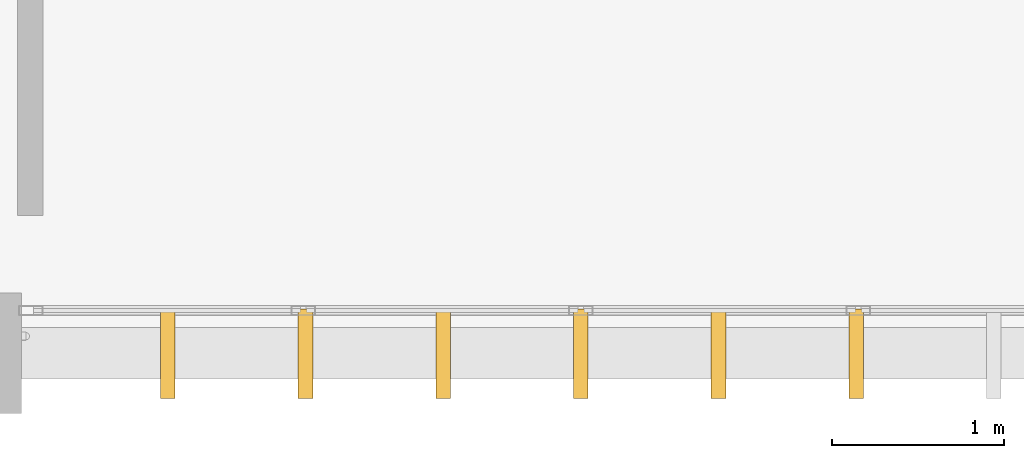
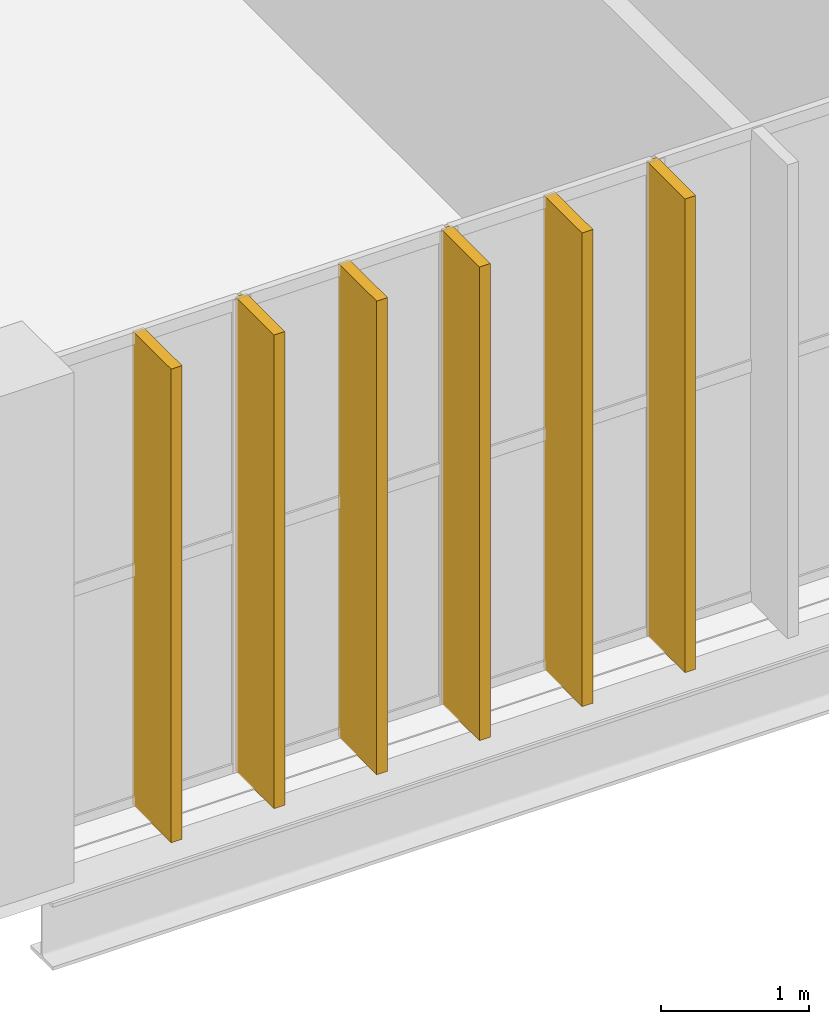
# One storey, part 118 of 130: 6 coverings.
"""IFC4 building model written with IfcOpenShell, lengths in metres."""

from ifc_helpers import new_model, si_unit, direction, frame, origin, origin_2d, place, context, subcontext, project, spatial, rectangle, extrude, material, layer, layer_set, type_object, element, save


model = new_model("IFC4")

# Units and contexts
model_context = context("Model", 3, precision=1e-05, world=origin(), true_north=direction((0.0, 1.0)))
body_context = subcontext(model_context, "Body", "Model", "MODEL_VIEW")
ifc_project = project(units=[si_unit("LENGTHUNIT", "METRE"), si_unit("AREAUNIT", "SQUARE_METRE"), si_unit("VOLUMEUNIT", "CUBIC_METRE"), si_unit("PLANEANGLEUNIT", "RADIAN"), si_unit("MASSUNIT", "GRAM", prefix="KILO")], contexts=[model_context])

# Site, building, storey
site_placement = place(None, origin())
site = spatial("IfcSite", under=ifc_project, at=site_placement, CompositionType="ELEMENT")
building_placement = place(site_placement, origin())
building = spatial("IfcBuilding", under=site, at=building_placement, Name="Qandorah Velis Arena", CompositionType="ELEMENT")
storey_placement = place(building_placement, frame((0.0, 0.0, 9.60009765625)))
storey = spatial("IfcBuildingStorey", under=building, at=storey_placement, Name="L02", CompositionType="ELEMENT", Elevation=9.60009765625)

# Coverings
ifc_material = material(Name="Champagne-bronze anodized aluminium 6063-T6", Category="aluminium")
ifc_layer = layer(ifc_material, 0.0849609375)
ifc_layer_set = layer_set([ifc_layer], Name="Champagne-bronze anodized aluminium 6063-T6")
covering_type = type_object("IfcCoveringType", Name="ARC-COV-FIN520", PredefinedType="CLADDING", material=ifc_layer_set)
for number, where, z_axis, x_axis, name in (
    (1, (66.0, -0.001953125, -0.010009765625), (0.0, 0.0, 1.0), (1.0, 0.0, 0.0), "Vertical champagne-bronze solar fin blade WNG-S-L02-09-001"),
    (2, (66.800048828125, -0.001953125, -0.010009765625), (0.0, 0.0, 1.0), (1.0, 0.0, 0.0), "Vertical champagne-bronze solar fin blade WNG-S-L02-09-002"),
    (3, (67.60009765625, -0.001953125, -0.010009765625), (0.0, 0.0, 1.0), (1.0, 0.0, 0.0), "Vertical champagne-bronze solar fin blade WNG-S-L02-09-003"),
    (4, (68.39990234375, -0.001953125, -0.010009765625), (0.0, 0.0, 1.0), (1.0, 0.0, 0.0), "Vertical champagne-bronze solar fin blade WNG-S-L02-09-004"),
    (5, (69.199951171875, -0.001953125, -0.010009765625), (0.0, 0.0, 1.0), (1.0, 0.0, 0.0), "Vertical champagne-bronze solar fin blade WNG-S-L02-09-005"),
    (6, (70.0, -0.001953125, -0.010009765625), (0.0, 0.0, 1.0), (1.0, 0.0, 0.0), "Vertical champagne-bronze solar fin blade WNG-S-L02-09-006"),
):
    element("IfcCovering", number, at=place(storey_placement, frame(where, z_axis=z_axis, x_axis=x_axis)), inside=storey, type_object=covering_type, Name=name, PredefinedType="CLADDING", context=body_context, shape_type="SweptSolid", body=[
        extrude(rectangle(XDim=0.0849609375, YDim=0.52001953125, at=origin_2d()), origin(), (0.0, 0.0, 1.0), 3.89990234375),
    ])

save(model, "model.ifc")
